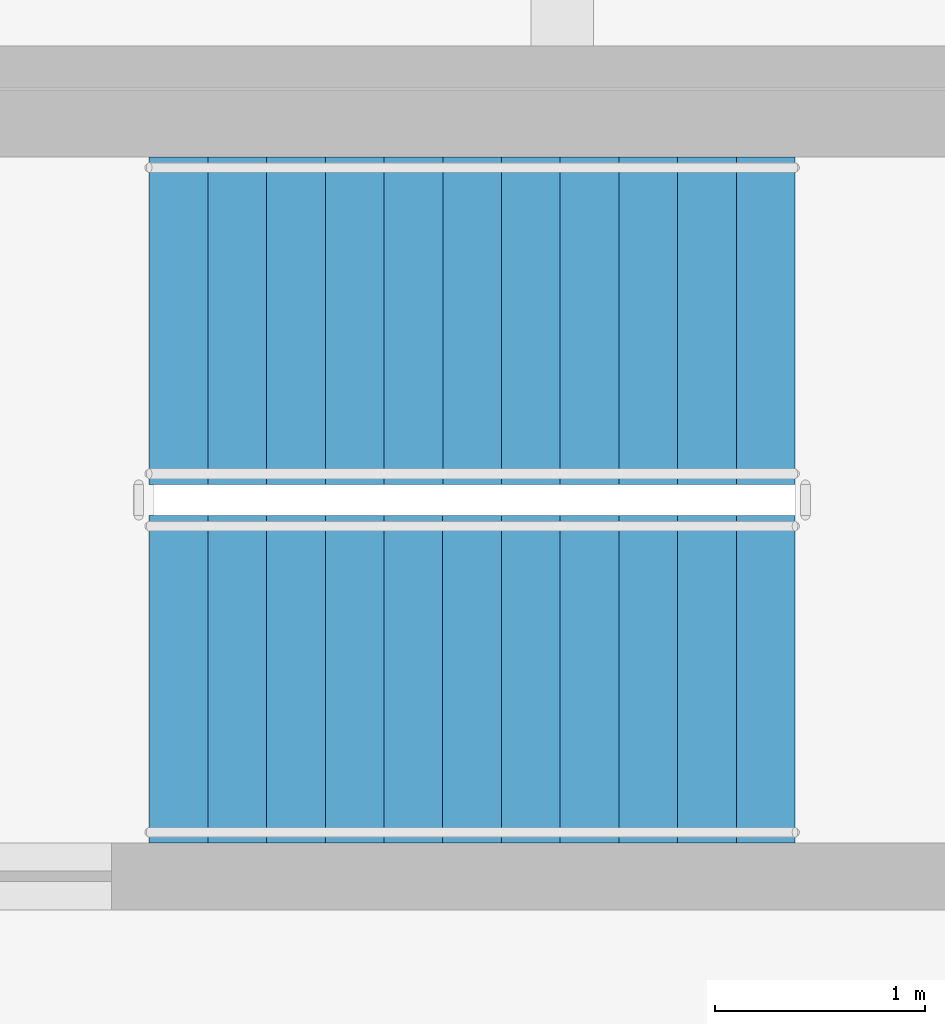
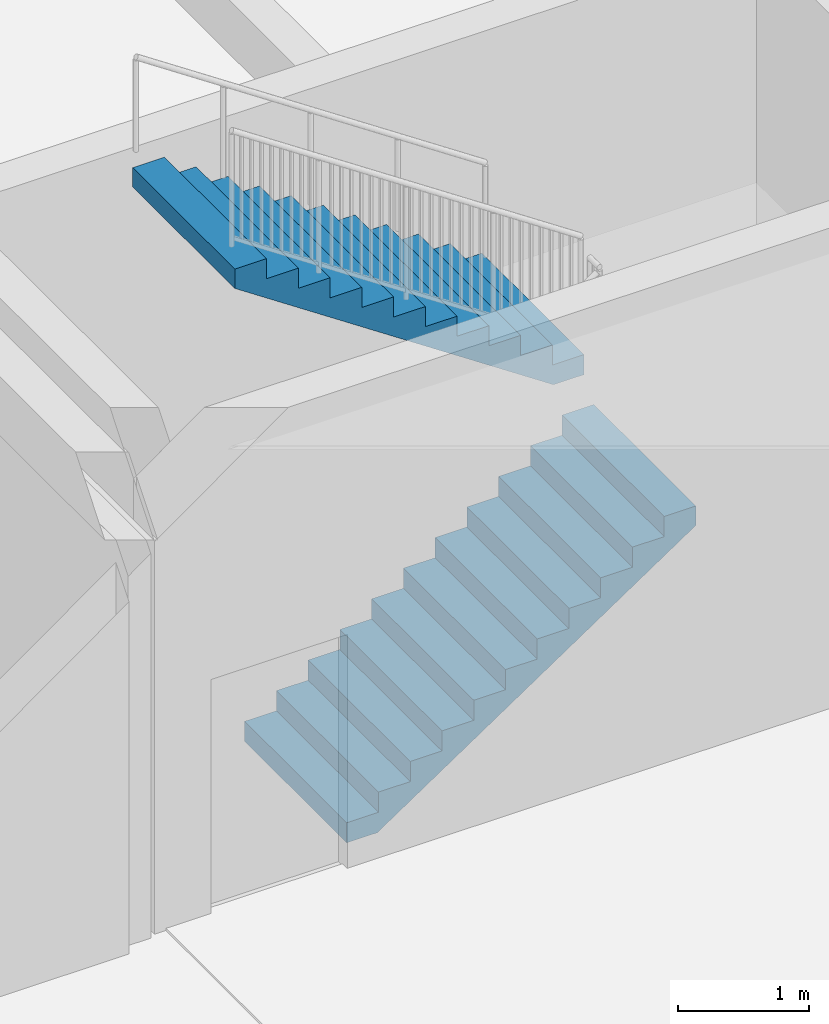
# One storey, part 66 of 79: 2 stair flights, 1 element without a shape of its own.
"""IFC4 building model written with IfcOpenShell, lengths in metres."""

from ifc_helpers import new_model, si_unit, direction, frame, origin, place, context, subcontext, project, spatial, polygons, material, type_object, element, aggregate, save


model = new_model("IFC4")

# Units and contexts
model_context = context("Model", 3, precision=1e-05, world=origin(), true_north=direction((0.0, 1.0)))
body_context = subcontext(model_context, "Body", "Model", "MODEL_VIEW")
ifc_project = project(units=[si_unit("LENGTHUNIT", "METRE"), si_unit("AREAUNIT", "SQUARE_METRE"), si_unit("VOLUMEUNIT", "CUBIC_METRE"), si_unit("PLANEANGLEUNIT", "RADIAN"), si_unit("MASSUNIT", "GRAM", prefix="KILO")], contexts=[model_context])

# Site, building, storey
site_placement = place(None, origin())
site = spatial("IfcSite", under=ifc_project, at=site_placement, CompositionType="ELEMENT")
building_placement = place(site_placement, origin())
building = spatial("IfcBuilding", under=site, at=building_placement, Name="Zantavel Square City Hall", CompositionType="ELEMENT")
storey_placement = place(building_placement, frame((0.0, 0.0, 10.199951171875)))
storey = spatial("IfcBuildingStorey", under=building, at=storey_placement, Name="L03", CompositionType="ELEMENT", Elevation=10.199951171875)

# Stair, stair flights
ifc_material = material(Name="Concrete C35/45", Category="concrete")
stair_type = type_object("IfcStairType", Name="Enclosed Core Dogleg Stair L03 H4500", PredefinedType="HALF_TURN_STAIR", material=ifc_material)
stair_placement = place(storey_placement, origin())
stair = element("IfcStair", 1, at=stair_placement, inside=storey, type_object=stair_type, Name="L03 Exit Stair 1 North-West Core", PredefinedType="HALF_TURN_STAIR")
stair_flight_type = type_object("IfcStairFlightType", Name="Enclosed Core Stair Flight L03 W1560", PredefinedType="STRAIGHT", material=ifc_material)
stair_flight_1_placement = place(storey_placement, frame((50.030029296875, 80.8798828125, 0.0), z_axis=(0.0, 0.0, 1.0), x_axis=(1.0, 0.0, 0.0)))
stair_flight_1 = element("IfcStairFlight", 2, at=stair_flight_1_placement, type_object=stair_flight_type, Name="ST1 flight 1", NumberOfRisers=12, NumberOfTreads=11, PredefinedType="STRAIGHT", RiserHeight=0.1875, TreadLength=0.28, context=body_context, shape_type="Tessellation", body=[
    polygons([(0.26953125, -0.780029296875, 0.0), (3.080078125, -0.780029296875, 1.882080078125), (3.080078125, -0.780029296875, 2.0625), (2.800048828125, -0.780029296875, 2.0625), (2.800048828125, -0.780029296875, 1.875), (2.52001953125, -0.780029296875, 1.875), (2.52001953125, -0.780029296875, 1.6875), (2.239990234375, -0.780029296875, 1.6875), (2.239990234375, -0.780029296875, 1.5), (1.9599609375, -0.780029296875, 1.5), (1.9599609375, -0.780029296875, 1.3125), (1.679931640625, -0.780029296875, 1.3125), (1.679931640625, -0.780029296875, 1.125), (1.39990234375, -0.780029296875, 1.125), (1.39990234375, -0.780029296875, 0.9375), (1.1201171875, -0.780029296875, 0.9375), (1.1201171875, -0.780029296875, 0.75), (0.840087890625, -0.780029296875, 0.75), (0.840087890625, -0.780029296875, 0.5625), (0.56005859375, -0.780029296875, 0.5625), (0.56005859375, -0.780029296875, 0.375), (0.280029296875, -0.780029296875, 0.375), (0.280029296875, -0.780029296875, 0.1875), (0.0, -0.780029296875, 0.1875), (0.0, -0.780029296875, 0.0), (0.26953125, -0.5849609375, 0.0), (3.080078125, -0.5849609375, 1.882080078125), (3.080078125, -0.5849609375, 2.0625), (2.800048828125, -0.5849609375, 2.0625), (2.800048828125, -0.5849609375, 1.875), (2.52001953125, -0.5849609375, 1.875), (2.52001953125, -0.5849609375, 1.6875), (2.239990234375, -0.5849609375, 1.6875), (2.239990234375, -0.5849609375, 1.5), (1.9599609375, -0.5849609375, 1.5), (1.9599609375, -0.5849609375, 1.3125), (1.679931640625, -0.5849609375, 1.3125), (1.679931640625, -0.5849609375, 1.125), (1.39990234375, -0.5849609375, 1.125), (1.39990234375, -0.5849609375, 0.9375), (1.1201171875, -0.5849609375, 0.9375), (1.1201171875, -0.5849609375, 0.75), (0.840087890625, -0.5849609375, 0.75), (0.840087890625, -0.5849609375, 0.5625), (0.56005859375, -0.5849609375, 0.5625), (0.56005859375, -0.5849609375, 0.375), (0.280029296875, -0.5849609375, 0.375), (0.280029296875, -0.5849609375, 0.1875), (0.0, -0.5849609375, 0.1875), (0.0, -0.5849609375, 0.0), (0.26953125, -0.39013671875, 0.0), (3.080078125, -0.39013671875, 1.882080078125), (3.080078125, -0.39013671875, 2.0625), (2.800048828125, -0.39013671875, 2.0625), (2.800048828125, -0.39013671875, 1.875), (2.52001953125, -0.39013671875, 1.875), (2.52001953125, -0.39013671875, 1.6875), (2.239990234375, -0.39013671875, 1.6875), (2.239990234375, -0.39013671875, 1.5), (1.9599609375, -0.39013671875, 1.5), (1.9599609375, -0.39013671875, 1.3125), (1.679931640625, -0.39013671875, 1.3125), (1.679931640625, -0.39013671875, 1.125), (1.39990234375, -0.39013671875, 1.125), (1.39990234375, -0.39013671875, 0.9375), (1.1201171875, -0.39013671875, 0.9375), (1.1201171875, -0.39013671875, 0.75), (0.840087890625, -0.39013671875, 0.75), (0.840087890625, -0.39013671875, 0.5625), (0.56005859375, -0.39013671875, 0.5625), (0.56005859375, -0.39013671875, 0.375), (0.280029296875, -0.39013671875, 0.375), (0.280029296875, -0.39013671875, 0.1875), (0.0, -0.39013671875, 0.1875), (0.0, -0.39013671875, 0.0), (0.26953125, -0.195068359375, 0.0), (3.080078125, -0.195068359375, 1.882080078125), (3.080078125, -0.195068359375, 2.0625), (2.800048828125, -0.195068359375, 2.0625), (2.800048828125, -0.195068359375, 1.875), (2.52001953125, -0.195068359375, 1.875), (2.52001953125, -0.195068359375, 1.6875), (2.239990234375, -0.195068359375, 1.6875), (2.239990234375, -0.195068359375, 1.5), (1.9599609375, -0.195068359375, 1.5), (1.9599609375, -0.195068359375, 1.3125), (1.679931640625, -0.195068359375, 1.3125), (1.679931640625, -0.195068359375, 1.125), (1.39990234375, -0.195068359375, 1.125), (1.39990234375, -0.195068359375, 0.9375), (1.1201171875, -0.195068359375, 0.9375), (1.1201171875, -0.195068359375, 0.75), (0.840087890625, -0.195068359375, 0.75), (0.840087890625, -0.195068359375, 0.5625), (0.56005859375, -0.195068359375, 0.5625), (0.56005859375, -0.195068359375, 0.375), (0.280029296875, -0.195068359375, 0.375), (0.280029296875, -0.195068359375, 0.1875), (0.0, -0.195068359375, 0.1875), (0.0, -0.195068359375, 0.0), (0.26953125, 0.0, 0.0), (3.080078125, 0.0, 1.882080078125), (3.080078125, 0.0, 2.0625), (2.800048828125, 0.0, 2.0625), (2.800048828125, 0.0, 1.875), (2.52001953125, 0.0, 1.875), (2.52001953125, 0.0, 1.6875), (2.239990234375, 0.0, 1.6875), (2.239990234375, 0.0, 1.5), (1.9599609375, 0.0, 1.5), (1.9599609375, 0.0, 1.3125), (1.679931640625, 0.0, 1.3125), (1.679931640625, 0.0, 1.125), (1.39990234375, 0.0, 1.125), (1.39990234375, 0.0, 0.9375), (1.1201171875, 0.0, 0.9375), (1.1201171875, 0.0, 0.75), (0.840087890625, 0.0, 0.75), (0.840087890625, 0.0, 0.5625), (0.56005859375, 0.0, 0.5625), (0.56005859375, 0.0, 0.375), (0.280029296875, 0.0, 0.375), (0.280029296875, 0.0, 0.1875), (0.0, 0.0, 0.1875), (0.0, 0.0, 0.0), (0.26953125, 0.195068359375, 0.0), (3.080078125, 0.195068359375, 1.882080078125), (3.080078125, 0.195068359375, 2.0625), (2.800048828125, 0.195068359375, 2.0625), (2.800048828125, 0.195068359375, 1.875), (2.52001953125, 0.195068359375, 1.875), (2.52001953125, 0.195068359375, 1.6875), (2.239990234375, 0.195068359375, 1.6875), (2.239990234375, 0.195068359375, 1.5), (1.9599609375, 0.195068359375, 1.5), (1.9599609375, 0.195068359375, 1.3125), (1.679931640625, 0.195068359375, 1.3125), (1.679931640625, 0.195068359375, 1.125), (1.39990234375, 0.195068359375, 1.125), (1.39990234375, 0.195068359375, 0.9375), (1.1201171875, 0.195068359375, 0.9375), (1.1201171875, 0.195068359375, 0.75), (0.840087890625, 0.195068359375, 0.75), (0.840087890625, 0.195068359375, 0.5625), (0.56005859375, 0.195068359375, 0.5625), (0.56005859375, 0.195068359375, 0.375), (0.280029296875, 0.195068359375, 0.375), (0.280029296875, 0.195068359375, 0.1875), (0.0, 0.195068359375, 0.1875), (0.0, 0.195068359375, 0.0), (0.26953125, 0.39013671875, 0.0), (3.080078125, 0.39013671875, 1.882080078125), (3.080078125, 0.39013671875, 2.0625), (2.800048828125, 0.39013671875, 2.0625), (2.800048828125, 0.39013671875, 1.875), (2.52001953125, 0.39013671875, 1.875), (2.52001953125, 0.39013671875, 1.6875), (2.239990234375, 0.39013671875, 1.6875), (2.239990234375, 0.39013671875, 1.5), (1.9599609375, 0.39013671875, 1.5), (1.9599609375, 0.39013671875, 1.3125), (1.679931640625, 0.39013671875, 1.3125), (1.679931640625, 0.39013671875, 1.125), (1.39990234375, 0.39013671875, 1.125), (1.39990234375, 0.39013671875, 0.9375), (1.1201171875, 0.39013671875, 0.9375), (1.1201171875, 0.39013671875, 0.75), (0.840087890625, 0.39013671875, 0.75), (0.840087890625, 0.39013671875, 0.5625), (0.56005859375, 0.39013671875, 0.5625), (0.56005859375, 0.39013671875, 0.375), (0.280029296875, 0.39013671875, 0.375), (0.280029296875, 0.39013671875, 0.1875), (0.0, 0.39013671875, 0.1875), (0.0, 0.39013671875, 0.0), (0.26953125, 0.5849609375, 0.0), (3.080078125, 0.5849609375, 1.882080078125), (3.080078125, 0.5849609375, 2.0625), (2.800048828125, 0.5849609375, 2.0625), (2.800048828125, 0.5849609375, 1.875), (2.52001953125, 0.5849609375, 1.875), (2.52001953125, 0.5849609375, 1.6875), (2.239990234375, 0.5849609375, 1.6875), (2.239990234375, 0.5849609375, 1.5), (1.9599609375, 0.5849609375, 1.5), (1.9599609375, 0.5849609375, 1.3125), (1.679931640625, 0.5849609375, 1.3125), (1.679931640625, 0.5849609375, 1.125), (1.39990234375, 0.5849609375, 1.125), (1.39990234375, 0.5849609375, 0.9375), (1.1201171875, 0.5849609375, 0.9375), (1.1201171875, 0.5849609375, 0.75), (0.840087890625, 0.5849609375, 0.75), (0.840087890625, 0.5849609375, 0.5625), (0.56005859375, 0.5849609375, 0.5625), (0.56005859375, 0.5849609375, 0.375), (0.280029296875, 0.5849609375, 0.375), (0.280029296875, 0.5849609375, 0.1875), (0.0, 0.5849609375, 0.1875), (0.0, 0.5849609375, 0.0), (0.26953125, 0.780029296875, 0.0), (3.080078125, 0.780029296875, 1.882080078125), (3.080078125, 0.780029296875, 2.0625), (2.800048828125, 0.780029296875, 2.0625), (2.800048828125, 0.780029296875, 1.875), (2.52001953125, 0.780029296875, 1.875), (2.52001953125, 0.780029296875, 1.6875), (2.239990234375, 0.780029296875, 1.6875), (2.239990234375, 0.780029296875, 1.5), (1.9599609375, 0.780029296875, 1.5), (1.9599609375, 0.780029296875, 1.3125), (1.679931640625, 0.780029296875, 1.3125), (1.679931640625, 0.780029296875, 1.125), (1.39990234375, 0.780029296875, 1.125), (1.39990234375, 0.780029296875, 0.9375), (1.1201171875, 0.780029296875, 0.9375), (1.1201171875, 0.780029296875, 0.75), (0.840087890625, 0.780029296875, 0.75), (0.840087890625, 0.780029296875, 0.5625), (0.56005859375, 0.780029296875, 0.5625), (0.56005859375, 0.780029296875, 0.375), (0.280029296875, 0.780029296875, 0.375), (0.280029296875, 0.780029296875, 0.1875), (0.0, 0.780029296875, 0.1875), (0.0, 0.780029296875, 0.0)], [[[1, 2, 3, 4, 5, 6, 7, 8, 9, 10, 11, 12, 13, 14, 15, 16, 17, 18, 19, 20, 21, 22, 23, 24, 25]], [[225, 224, 223, 222, 221, 220, 219, 218, 217, 216, 215, 214, 213, 212, 211, 210, 209, 208, 207, 206, 205, 204, 203, 202, 201]], [[1, 26, 27]], [[1, 27, 2]], [[2, 27, 28]], [[2, 28, 3]], [[3, 28, 29]], [[3, 29, 4]], [[4, 29, 30]], [[4, 30, 5]], [[5, 30, 31]], [[5, 31, 6]], [[6, 31, 32]], [[6, 32, 7]], [[7, 32, 33]], [[7, 33, 8]], [[8, 33, 34]], [[8, 34, 9]], [[9, 34, 35]], [[9, 35, 10]], [[10, 35, 36]], [[10, 36, 11]], [[11, 36, 37]], [[11, 37, 12]], [[12, 37, 38]], [[12, 38, 13]], [[13, 38, 39]], [[13, 39, 14]], [[14, 39, 40]], [[14, 40, 15]], [[15, 40, 41]], [[15, 41, 16]], [[16, 41, 42]], [[16, 42, 17]], [[17, 42, 43]], [[17, 43, 18]], [[18, 43, 44]], [[18, 44, 19]], [[19, 44, 45]], [[19, 45, 20]], [[20, 45, 46]], [[20, 46, 21]], [[21, 46, 47]], [[21, 47, 22]], [[22, 47, 48]], [[22, 48, 23]], [[23, 48, 49]], [[23, 49, 24]], [[24, 49, 50]], [[24, 50, 25]], [[25, 50, 26]], [[25, 26, 1]], [[26, 51, 52]], [[26, 52, 27]], [[27, 52, 53]], [[27, 53, 28]], [[28, 53, 54]], [[28, 54, 29]], [[29, 54, 55]], [[29, 55, 30]], [[30, 55, 56]], [[30, 56, 31]], [[31, 56, 57]], [[31, 57, 32]], [[32, 57, 58]], [[32, 58, 33]], [[33, 58, 59]], [[33, 59, 34]], [[34, 59, 60]], [[34, 60, 35]], [[35, 60, 61]], [[35, 61, 36]], [[36, 61, 62]], [[36, 62, 37]], [[37, 62, 63]], [[37, 63, 38]], [[38, 63, 64]], [[38, 64, 39]], [[39, 64, 65]], [[39, 65, 40]], [[40, 65, 66]], [[40, 66, 41]], [[41, 66, 67]], [[41, 67, 42]], [[42, 67, 68]], [[42, 68, 43]], [[43, 68, 69]], [[43, 69, 44]], [[44, 69, 70]], [[44, 70, 45]], [[45, 70, 71]], [[45, 71, 46]], [[46, 71, 72]], [[46, 72, 47]], [[47, 72, 73]], [[47, 73, 48]], [[48, 73, 74]], [[48, 74, 49]], [[49, 74, 75]], [[49, 75, 50]], [[50, 75, 51]], [[50, 51, 26]], [[51, 76, 77]], [[51, 77, 52]], [[52, 77, 78]], [[52, 78, 53]], [[53, 78, 79]], [[53, 79, 54]], [[54, 79, 80]], [[54, 80, 55]], [[55, 80, 81]], [[55, 81, 56]], [[56, 81, 82]], [[56, 82, 57]], [[57, 82, 83]], [[57, 83, 58]], [[58, 83, 84]], [[58, 84, 59]], [[59, 84, 85]], [[59, 85, 60]], [[60, 85, 86]], [[60, 86, 61]], [[61, 86, 87]], [[61, 87, 62]], [[62, 87, 88]], [[62, 88, 63]], [[63, 88, 89]], [[63, 89, 64]], [[64, 89, 90]], [[64, 90, 65]], [[65, 90, 91]], [[65, 91, 66]], [[66, 91, 92]], [[66, 92, 67]], [[67, 92, 93]], [[67, 93, 68]], [[68, 93, 94]], [[68, 94, 69]], [[69, 94, 95]], [[69, 95, 70]], [[70, 95, 96]], [[70, 96, 71]], [[71, 96, 97]], [[71, 97, 72]], [[72, 97, 98]], [[72, 98, 73]], [[73, 98, 99]], [[73, 99, 74]], [[74, 99, 100]], [[74, 100, 75]], [[75, 100, 76]], [[75, 76, 51]], [[76, 101, 102]], [[76, 102, 77]], [[77, 102, 103]], [[77, 103, 78]], [[78, 103, 104]], [[78, 104, 79]], [[79, 104, 105]], [[79, 105, 80]], [[80, 105, 106]], [[80, 106, 81]], [[81, 106, 107]], [[81, 107, 82]], [[82, 107, 108]], [[82, 108, 83]], [[83, 108, 109]], [[83, 109, 84]], [[84, 109, 110]], [[84, 110, 85]], [[85, 110, 111]], [[85, 111, 86]], [[86, 111, 112]], [[86, 112, 87]], [[87, 112, 113]], [[87, 113, 88]], [[88, 113, 114]], [[88, 114, 89]], [[89, 114, 115]], [[89, 115, 90]], [[90, 115, 116]], [[90, 116, 91]], [[91, 116, 117]], [[91, 117, 92]], [[92, 117, 118]], [[92, 118, 93]], [[93, 118, 119]], [[93, 119, 94]], [[94, 119, 120]], [[94, 120, 95]], [[95, 120, 121]], [[95, 121, 96]], [[96, 121, 122]], [[96, 122, 97]], [[97, 122, 123]], [[97, 123, 98]], [[98, 123, 124]], [[98, 124, 99]], [[99, 124, 125]], [[99, 125, 100]], [[100, 125, 101]], [[100, 101, 76]], [[101, 126, 102]], [[126, 127, 102]], [[102, 127, 103]], [[127, 128, 103]], [[103, 128, 104]], [[128, 129, 104]], [[104, 129, 105]], [[129, 130, 105]], [[105, 130, 106]], [[130, 131, 106]], [[106, 131, 107]], [[131, 132, 107]], [[107, 132, 108]], [[132, 133, 108]], [[108, 133, 109]], [[133, 134, 109]], [[109, 134, 110]], [[134, 135, 110]], [[110, 135, 111]], [[135, 136, 111]], [[111, 136, 112]], [[136, 137, 112]], [[112, 137, 113]], [[137, 138, 113]], [[113, 138, 114]], [[138, 139, 114]], [[114, 139, 115]], [[139, 140, 115]], [[115, 140, 116]], [[140, 141, 116]], [[116, 141, 117]], [[141, 142, 117]], [[117, 142, 118]], [[142, 143, 118]], [[118, 143, 119]], [[143, 144, 119]], [[119, 144, 120]], [[144, 145, 120]], [[120, 145, 121]], [[145, 146, 121]], [[121, 146, 122]], [[146, 147, 122]], [[122, 147, 123]], [[147, 148, 123]], [[123, 148, 124]], [[148, 149, 124]], [[124, 149, 125]], [[149, 150, 125]], [[125, 150, 101]], [[150, 126, 101]], [[126, 151, 127]], [[151, 152, 127]], [[127, 152, 128]], [[152, 153, 128]], [[128, 153, 129]], [[153, 154, 129]], [[129, 154, 130]], [[154, 155, 130]], [[130, 155, 131]], [[155, 156, 131]], [[131, 156, 132]], [[156, 157, 132]], [[132, 157, 133]], [[157, 158, 133]], [[133, 158, 134]], [[158, 159, 134]], [[134, 159, 135]], [[159, 160, 135]], [[135, 160, 136]], [[160, 161, 136]], [[136, 161, 137]], [[161, 162, 137]], [[137, 162, 138]], [[162, 163, 138]], [[138, 163, 139]], [[163, 164, 139]], [[139, 164, 140]], [[164, 165, 140]], [[140, 165, 141]], [[165, 166, 141]], [[141, 166, 142]], [[166, 167, 142]], [[142, 167, 143]], [[167, 168, 143]], [[143, 168, 144]], [[168, 169, 144]], [[144, 169, 145]], [[169, 170, 145]], [[145, 170, 146]], [[170, 171, 146]], [[146, 171, 147]], [[171, 172, 147]], [[147, 172, 148]], [[172, 173, 148]], [[148, 173, 149]], [[173, 174, 149]], [[149, 174, 150]], [[174, 175, 150]], [[150, 175, 126]], [[175, 151, 126]], [[151, 176, 152]], [[176, 177, 152]], [[152, 177, 153]], [[177, 178, 153]], [[153, 178, 154]], [[178, 179, 154]], [[154, 179, 155]], [[179, 180, 155]], [[155, 180, 156]], [[180, 181, 156]], [[156, 181, 157]], [[181, 182, 157]], [[157, 182, 158]], [[182, 183, 158]], [[158, 183, 159]], [[183, 184, 159]], [[159, 184, 160]], [[184, 185, 160]], [[160, 185, 161]], [[185, 186, 161]], [[161, 186, 162]], [[186, 187, 162]], [[162, 187, 163]], [[187, 188, 163]], [[163, 188, 164]], [[188, 189, 164]], [[164, 189, 165]], [[189, 190, 165]], [[165, 190, 166]], [[190, 191, 166]], [[166, 191, 167]], [[191, 192, 167]], [[167, 192, 168]], [[192, 193, 168]], [[168, 193, 169]], [[193, 194, 169]], [[169, 194, 170]], [[194, 195, 170]], [[170, 195, 171]], [[195, 196, 171]], [[171, 196, 172]], [[196, 197, 172]], [[172, 197, 173]], [[197, 198, 173]], [[173, 198, 174]], [[198, 199, 174]], [[174, 199, 175]], [[199, 200, 175]], [[175, 200, 151]], [[200, 176, 151]], [[176, 201, 177]], [[201, 202, 177]], [[177, 202, 178]], [[202, 203, 178]], [[178, 203, 179]], [[203, 204, 179]], [[179, 204, 180]], [[204, 205, 180]], [[180, 205, 181]], [[205, 206, 181]], [[181, 206, 182]], [[206, 207, 182]], [[182, 207, 183]], [[207, 208, 183]], [[183, 208, 184]], [[208, 209, 184]], [[184, 209, 185]], [[209, 210, 185]], [[185, 210, 186]], [[210, 211, 186]], [[186, 211, 187]], [[211, 212, 187]], [[187, 212, 188]], [[212, 213, 188]], [[188, 213, 189]], [[213, 214, 189]], [[189, 214, 190]], [[214, 215, 190]], [[190, 215, 191]], [[215, 216, 191]], [[191, 216, 192]], [[216, 217, 192]], [[192, 217, 193]], [[217, 218, 193]], [[193, 218, 194]], [[218, 219, 194]], [[194, 219, 195]], [[219, 220, 195]], [[195, 220, 196]], [[220, 221, 196]], [[196, 221, 197]], [[221, 222, 197]], [[197, 222, 198]], [[222, 223, 198]], [[198, 223, 199]], [[223, 224, 199]], [[199, 224, 200]], [[224, 225, 200]], [[200, 225, 176]], [[225, 201, 176]]], closed=True),
])
stair_flight_2_placement = place(storey_placement, frame((53.110107421875, 82.590087890625, 2.25), z_axis=(0.0, 0.0, 1.0), x_axis=(-1.0, 0.0, 0.0)))
stair_flight_2 = element("IfcStairFlight", 3, at=stair_flight_2_placement, type_object=stair_flight_type, Name="ST1 flight 2", NumberOfRisers=12, NumberOfTreads=11, PredefinedType="STRAIGHT", RiserHeight=0.1875, TreadLength=0.28, context=body_context, shape_type="Tessellation", body=[
    polygons([(0.26953125, -0.780029296875, 0.0), (3.080078125, -0.780029296875, 1.882080078125), (3.080078125, -0.780029296875, 2.0625), (2.800048828125, -0.780029296875, 2.0625), (2.800048828125, -0.780029296875, 1.875), (2.52001953125, -0.780029296875, 1.875), (2.52001953125, -0.780029296875, 1.6875), (2.239990234375, -0.780029296875, 1.6875), (2.239990234375, -0.780029296875, 1.5), (1.9599609375, -0.780029296875, 1.5), (1.9599609375, -0.780029296875, 1.3125), (1.679931640625, -0.780029296875, 1.3125), (1.679931640625, -0.780029296875, 1.125), (1.39990234375, -0.780029296875, 1.125), (1.39990234375, -0.780029296875, 0.9375), (1.1201171875, -0.780029296875, 0.9375), (1.1201171875, -0.780029296875, 0.75), (0.840087890625, -0.780029296875, 0.75), (0.840087890625, -0.780029296875, 0.5625), (0.56005859375, -0.780029296875, 0.5625), (0.56005859375, -0.780029296875, 0.375), (0.280029296875, -0.780029296875, 0.375), (0.280029296875, -0.780029296875, 0.1875), (0.0, -0.780029296875, 0.1875), (0.0, -0.780029296875, 0.0), (0.26953125, -0.5849609375, 0.0), (3.080078125, -0.5849609375, 1.882080078125), (3.080078125, -0.5849609375, 2.0625), (2.800048828125, -0.5849609375, 2.0625), (2.800048828125, -0.5849609375, 1.875), (2.52001953125, -0.5849609375, 1.875), (2.52001953125, -0.5849609375, 1.6875), (2.239990234375, -0.5849609375, 1.6875), (2.239990234375, -0.5849609375, 1.5), (1.9599609375, -0.5849609375, 1.5), (1.9599609375, -0.5849609375, 1.3125), (1.679931640625, -0.5849609375, 1.3125), (1.679931640625, -0.5849609375, 1.125), (1.39990234375, -0.5849609375, 1.125), (1.39990234375, -0.5849609375, 0.9375), (1.1201171875, -0.5849609375, 0.9375), (1.1201171875, -0.5849609375, 0.75), (0.840087890625, -0.5849609375, 0.75), (0.840087890625, -0.5849609375, 0.5625), (0.56005859375, -0.5849609375, 0.5625), (0.56005859375, -0.5849609375, 0.375), (0.280029296875, -0.5849609375, 0.375), (0.280029296875, -0.5849609375, 0.1875), (0.0, -0.5849609375, 0.1875), (0.0, -0.5849609375, 0.0), (0.26953125, -0.39013671875, 0.0), (3.080078125, -0.39013671875, 1.882080078125), (3.080078125, -0.39013671875, 2.0625), (2.800048828125, -0.39013671875, 2.0625), (2.800048828125, -0.39013671875, 1.875), (2.52001953125, -0.39013671875, 1.875), (2.52001953125, -0.39013671875, 1.6875), (2.239990234375, -0.39013671875, 1.6875), (2.239990234375, -0.39013671875, 1.5), (1.9599609375, -0.39013671875, 1.5), (1.9599609375, -0.39013671875, 1.3125), (1.679931640625, -0.39013671875, 1.3125), (1.679931640625, -0.39013671875, 1.125), (1.39990234375, -0.39013671875, 1.125), (1.39990234375, -0.39013671875, 0.9375), (1.1201171875, -0.39013671875, 0.9375), (1.1201171875, -0.39013671875, 0.75), (0.840087890625, -0.39013671875, 0.75), (0.840087890625, -0.39013671875, 0.5625), (0.56005859375, -0.39013671875, 0.5625), (0.56005859375, -0.39013671875, 0.375), (0.280029296875, -0.39013671875, 0.375), (0.280029296875, -0.39013671875, 0.1875), (0.0, -0.39013671875, 0.1875), (0.0, -0.39013671875, 0.0), (0.26953125, -0.195068359375, 0.0), (3.080078125, -0.195068359375, 1.882080078125), (3.080078125, -0.195068359375, 2.0625), (2.800048828125, -0.195068359375, 2.0625), (2.800048828125, -0.195068359375, 1.875), (2.52001953125, -0.195068359375, 1.875), (2.52001953125, -0.195068359375, 1.6875), (2.239990234375, -0.195068359375, 1.6875), (2.239990234375, -0.195068359375, 1.5), (1.9599609375, -0.195068359375, 1.5), (1.9599609375, -0.195068359375, 1.3125), (1.679931640625, -0.195068359375, 1.3125), (1.679931640625, -0.195068359375, 1.125), (1.39990234375, -0.195068359375, 1.125), (1.39990234375, -0.195068359375, 0.9375), (1.1201171875, -0.195068359375, 0.9375), (1.1201171875, -0.195068359375, 0.75), (0.840087890625, -0.195068359375, 0.75), (0.840087890625, -0.195068359375, 0.5625), (0.56005859375, -0.195068359375, 0.5625), (0.56005859375, -0.195068359375, 0.375), (0.280029296875, -0.195068359375, 0.375), (0.280029296875, -0.195068359375, 0.1875), (0.0, -0.195068359375, 0.1875), (0.0, -0.195068359375, 0.0), (0.26953125, 0.0, 0.0), (3.080078125, 0.0, 1.882080078125), (3.080078125, 0.0, 2.0625), (2.800048828125, 0.0, 2.0625), (2.800048828125, 0.0, 1.875), (2.52001953125, 0.0, 1.875), (2.52001953125, 0.0, 1.6875), (2.239990234375, 0.0, 1.6875), (2.239990234375, 0.0, 1.5), (1.9599609375, 0.0, 1.5), (1.9599609375, 0.0, 1.3125), (1.679931640625, 0.0, 1.3125), (1.679931640625, 0.0, 1.125), (1.39990234375, 0.0, 1.125), (1.39990234375, 0.0, 0.9375), (1.1201171875, 0.0, 0.9375), (1.1201171875, 0.0, 0.75), (0.840087890625, 0.0, 0.75), (0.840087890625, 0.0, 0.5625), (0.56005859375, 0.0, 0.5625), (0.56005859375, 0.0, 0.375), (0.280029296875, 0.0, 0.375), (0.280029296875, 0.0, 0.1875), (0.0, 0.0, 0.1875), (0.0, 0.0, 0.0), (0.26953125, 0.195068359375, 0.0), (3.080078125, 0.195068359375, 1.882080078125), (3.080078125, 0.195068359375, 2.0625), (2.800048828125, 0.195068359375, 2.0625), (2.800048828125, 0.195068359375, 1.875), (2.52001953125, 0.195068359375, 1.875), (2.52001953125, 0.195068359375, 1.6875), (2.239990234375, 0.195068359375, 1.6875), (2.239990234375, 0.195068359375, 1.5), (1.9599609375, 0.195068359375, 1.5), (1.9599609375, 0.195068359375, 1.3125), (1.679931640625, 0.195068359375, 1.3125), (1.679931640625, 0.195068359375, 1.125), (1.39990234375, 0.195068359375, 1.125), (1.39990234375, 0.195068359375, 0.9375), (1.1201171875, 0.195068359375, 0.9375), (1.1201171875, 0.195068359375, 0.75), (0.840087890625, 0.195068359375, 0.75), (0.840087890625, 0.195068359375, 0.5625), (0.56005859375, 0.195068359375, 0.5625), (0.56005859375, 0.195068359375, 0.375), (0.280029296875, 0.195068359375, 0.375), (0.280029296875, 0.195068359375, 0.1875), (0.0, 0.195068359375, 0.1875), (0.0, 0.195068359375, 0.0), (0.26953125, 0.39013671875, 0.0), (3.080078125, 0.39013671875, 1.882080078125), (3.080078125, 0.39013671875, 2.0625), (2.800048828125, 0.39013671875, 2.0625), (2.800048828125, 0.39013671875, 1.875), (2.52001953125, 0.39013671875, 1.875), (2.52001953125, 0.39013671875, 1.6875), (2.239990234375, 0.39013671875, 1.6875), (2.239990234375, 0.39013671875, 1.5), (1.9599609375, 0.39013671875, 1.5), (1.9599609375, 0.39013671875, 1.3125), (1.679931640625, 0.39013671875, 1.3125), (1.679931640625, 0.39013671875, 1.125), (1.39990234375, 0.39013671875, 1.125), (1.39990234375, 0.39013671875, 0.9375), (1.1201171875, 0.39013671875, 0.9375), (1.1201171875, 0.39013671875, 0.75), (0.840087890625, 0.39013671875, 0.75), (0.840087890625, 0.39013671875, 0.5625), (0.56005859375, 0.39013671875, 0.5625), (0.56005859375, 0.39013671875, 0.375), (0.280029296875, 0.39013671875, 0.375), (0.280029296875, 0.39013671875, 0.1875), (0.0, 0.39013671875, 0.1875), (0.0, 0.39013671875, 0.0), (0.26953125, 0.5849609375, 0.0), (3.080078125, 0.5849609375, 1.882080078125), (3.080078125, 0.5849609375, 2.0625), (2.800048828125, 0.5849609375, 2.0625), (2.800048828125, 0.5849609375, 1.875), (2.52001953125, 0.5849609375, 1.875), (2.52001953125, 0.5849609375, 1.6875), (2.239990234375, 0.5849609375, 1.6875), (2.239990234375, 0.5849609375, 1.5), (1.9599609375, 0.5849609375, 1.5), (1.9599609375, 0.5849609375, 1.3125), (1.679931640625, 0.5849609375, 1.3125), (1.679931640625, 0.5849609375, 1.125), (1.39990234375, 0.5849609375, 1.125), (1.39990234375, 0.5849609375, 0.9375), (1.1201171875, 0.5849609375, 0.9375), (1.1201171875, 0.5849609375, 0.75), (0.840087890625, 0.5849609375, 0.75), (0.840087890625, 0.5849609375, 0.5625), (0.56005859375, 0.5849609375, 0.5625), (0.56005859375, 0.5849609375, 0.375), (0.280029296875, 0.5849609375, 0.375), (0.280029296875, 0.5849609375, 0.1875), (0.0, 0.5849609375, 0.1875), (0.0, 0.5849609375, 0.0), (0.26953125, 0.780029296875, 0.0), (3.080078125, 0.780029296875, 1.882080078125), (3.080078125, 0.780029296875, 2.0625), (2.800048828125, 0.780029296875, 2.0625), (2.800048828125, 0.780029296875, 1.875), (2.52001953125, 0.780029296875, 1.875), (2.52001953125, 0.780029296875, 1.6875), (2.239990234375, 0.780029296875, 1.6875), (2.239990234375, 0.780029296875, 1.5), (1.9599609375, 0.780029296875, 1.5), (1.9599609375, 0.780029296875, 1.3125), (1.679931640625, 0.780029296875, 1.3125), (1.679931640625, 0.780029296875, 1.125), (1.39990234375, 0.780029296875, 1.125), (1.39990234375, 0.780029296875, 0.9375), (1.1201171875, 0.780029296875, 0.9375), (1.1201171875, 0.780029296875, 0.75), (0.840087890625, 0.780029296875, 0.75), (0.840087890625, 0.780029296875, 0.5625), (0.56005859375, 0.780029296875, 0.5625), (0.56005859375, 0.780029296875, 0.375), (0.280029296875, 0.780029296875, 0.375), (0.280029296875, 0.780029296875, 0.1875), (0.0, 0.780029296875, 0.1875), (0.0, 0.780029296875, 0.0)], [[[1, 2, 3, 4, 5, 6, 7, 8, 9, 10, 11, 12, 13, 14, 15, 16, 17, 18, 19, 20, 21, 22, 23, 24, 25]], [[225, 224, 223, 222, 221, 220, 219, 218, 217, 216, 215, 214, 213, 212, 211, 210, 209, 208, 207, 206, 205, 204, 203, 202, 201]], [[1, 26, 27]], [[1, 27, 2]], [[2, 27, 28]], [[2, 28, 3]], [[3, 28, 29]], [[3, 29, 4]], [[4, 29, 30]], [[4, 30, 5]], [[5, 30, 31]], [[5, 31, 6]], [[6, 31, 32]], [[6, 32, 7]], [[7, 32, 33]], [[7, 33, 8]], [[8, 33, 34]], [[8, 34, 9]], [[9, 34, 35]], [[9, 35, 10]], [[10, 35, 36]], [[10, 36, 11]], [[11, 36, 37]], [[11, 37, 12]], [[12, 37, 38]], [[12, 38, 13]], [[13, 38, 39]], [[13, 39, 14]], [[14, 39, 40]], [[14, 40, 15]], [[15, 40, 41]], [[15, 41, 16]], [[16, 41, 42]], [[16, 42, 17]], [[17, 42, 43]], [[17, 43, 18]], [[18, 43, 44]], [[18, 44, 19]], [[19, 44, 45]], [[19, 45, 20]], [[20, 45, 46]], [[20, 46, 21]], [[21, 46, 47]], [[21, 47, 22]], [[22, 47, 48]], [[22, 48, 23]], [[23, 48, 49]], [[23, 49, 24]], [[24, 49, 50]], [[24, 50, 25]], [[25, 50, 26]], [[25, 26, 1]], [[26, 51, 52]], [[26, 52, 27]], [[27, 52, 53]], [[27, 53, 28]], [[28, 53, 54]], [[28, 54, 29]], [[29, 54, 55]], [[29, 55, 30]], [[30, 55, 56]], [[30, 56, 31]], [[31, 56, 57]], [[31, 57, 32]], [[32, 57, 58]], [[32, 58, 33]], [[33, 58, 59]], [[33, 59, 34]], [[34, 59, 60]], [[34, 60, 35]], [[35, 60, 61]], [[35, 61, 36]], [[36, 61, 62]], [[36, 62, 37]], [[37, 62, 63]], [[37, 63, 38]], [[38, 63, 64]], [[38, 64, 39]], [[39, 64, 65]], [[39, 65, 40]], [[40, 65, 66]], [[40, 66, 41]], [[41, 66, 67]], [[41, 67, 42]], [[42, 67, 68]], [[42, 68, 43]], [[43, 68, 69]], [[43, 69, 44]], [[44, 69, 70]], [[44, 70, 45]], [[45, 70, 71]], [[45, 71, 46]], [[46, 71, 72]], [[46, 72, 47]], [[47, 72, 73]], [[47, 73, 48]], [[48, 73, 74]], [[48, 74, 49]], [[49, 74, 75]], [[49, 75, 50]], [[50, 75, 51]], [[50, 51, 26]], [[51, 76, 77]], [[51, 77, 52]], [[52, 77, 78]], [[52, 78, 53]], [[53, 78, 79]], [[53, 79, 54]], [[54, 79, 80]], [[54, 80, 55]], [[55, 80, 81]], [[55, 81, 56]], [[56, 81, 82]], [[56, 82, 57]], [[57, 82, 83]], [[57, 83, 58]], [[58, 83, 84]], [[58, 84, 59]], [[59, 84, 85]], [[59, 85, 60]], [[60, 85, 86]], [[60, 86, 61]], [[61, 86, 87]], [[61, 87, 62]], [[62, 87, 88]], [[62, 88, 63]], [[63, 88, 89]], [[63, 89, 64]], [[64, 89, 90]], [[64, 90, 65]], [[65, 90, 91]], [[65, 91, 66]], [[66, 91, 92]], [[66, 92, 67]], [[67, 92, 93]], [[67, 93, 68]], [[68, 93, 94]], [[68, 94, 69]], [[69, 94, 95]], [[69, 95, 70]], [[70, 95, 96]], [[70, 96, 71]], [[71, 96, 97]], [[71, 97, 72]], [[72, 97, 98]], [[72, 98, 73]], [[73, 98, 99]], [[73, 99, 74]], [[74, 99, 100]], [[74, 100, 75]], [[75, 100, 76]], [[75, 76, 51]], [[76, 101, 102]], [[76, 102, 77]], [[77, 102, 103]], [[77, 103, 78]], [[78, 103, 104]], [[78, 104, 79]], [[79, 104, 105]], [[79, 105, 80]], [[80, 105, 106]], [[80, 106, 81]], [[81, 106, 107]], [[81, 107, 82]], [[82, 107, 108]], [[82, 108, 83]], [[83, 108, 109]], [[83, 109, 84]], [[84, 109, 110]], [[84, 110, 85]], [[85, 110, 111]], [[85, 111, 86]], [[86, 111, 112]], [[86, 112, 87]], [[87, 112, 113]], [[87, 113, 88]], [[88, 113, 114]], [[88, 114, 89]], [[89, 114, 115]], [[89, 115, 90]], [[90, 115, 116]], [[90, 116, 91]], [[91, 116, 117]], [[91, 117, 92]], [[92, 117, 118]], [[92, 118, 93]], [[93, 118, 119]], [[93, 119, 94]], [[94, 119, 120]], [[94, 120, 95]], [[95, 120, 121]], [[95, 121, 96]], [[96, 121, 122]], [[96, 122, 97]], [[97, 122, 123]], [[97, 123, 98]], [[98, 123, 124]], [[98, 124, 99]], [[99, 124, 125]], [[99, 125, 100]], [[100, 125, 101]], [[100, 101, 76]], [[101, 126, 102]], [[126, 127, 102]], [[102, 127, 103]], [[127, 128, 103]], [[103, 128, 104]], [[128, 129, 104]], [[104, 129, 105]], [[129, 130, 105]], [[105, 130, 106]], [[130, 131, 106]], [[106, 131, 107]], [[131, 132, 107]], [[107, 132, 108]], [[132, 133, 108]], [[108, 133, 109]], [[133, 134, 109]], [[109, 134, 110]], [[134, 135, 110]], [[110, 135, 111]], [[135, 136, 111]], [[111, 136, 112]], [[136, 137, 112]], [[112, 137, 113]], [[137, 138, 113]], [[113, 138, 114]], [[138, 139, 114]], [[114, 139, 115]], [[139, 140, 115]], [[115, 140, 116]], [[140, 141, 116]], [[116, 141, 117]], [[141, 142, 117]], [[117, 142, 118]], [[142, 143, 118]], [[118, 143, 119]], [[143, 144, 119]], [[119, 144, 120]], [[144, 145, 120]], [[120, 145, 121]], [[145, 146, 121]], [[121, 146, 122]], [[146, 147, 122]], [[122, 147, 123]], [[147, 148, 123]], [[123, 148, 124]], [[148, 149, 124]], [[124, 149, 125]], [[149, 150, 125]], [[125, 150, 101]], [[150, 126, 101]], [[126, 151, 127]], [[151, 152, 127]], [[127, 152, 128]], [[152, 153, 128]], [[128, 153, 129]], [[153, 154, 129]], [[129, 154, 130]], [[154, 155, 130]], [[130, 155, 131]], [[155, 156, 131]], [[131, 156, 132]], [[156, 157, 132]], [[132, 157, 133]], [[157, 158, 133]], [[133, 158, 134]], [[158, 159, 134]], [[134, 159, 135]], [[159, 160, 135]], [[135, 160, 136]], [[160, 161, 136]], [[136, 161, 137]], [[161, 162, 137]], [[137, 162, 138]], [[162, 163, 138]], [[138, 163, 139]], [[163, 164, 139]], [[139, 164, 140]], [[164, 165, 140]], [[140, 165, 141]], [[165, 166, 141]], [[141, 166, 142]], [[166, 167, 142]], [[142, 167, 143]], [[167, 168, 143]], [[143, 168, 144]], [[168, 169, 144]], [[144, 169, 145]], [[169, 170, 145]], [[145, 170, 146]], [[170, 171, 146]], [[146, 171, 147]], [[171, 172, 147]], [[147, 172, 148]], [[172, 173, 148]], [[148, 173, 149]], [[173, 174, 149]], [[149, 174, 150]], [[174, 175, 150]], [[150, 175, 126]], [[175, 151, 126]], [[151, 176, 152]], [[176, 177, 152]], [[152, 177, 153]], [[177, 178, 153]], [[153, 178, 154]], [[178, 179, 154]], [[154, 179, 155]], [[179, 180, 155]], [[155, 180, 156]], [[180, 181, 156]], [[156, 181, 157]], [[181, 182, 157]], [[157, 182, 158]], [[182, 183, 158]], [[158, 183, 159]], [[183, 184, 159]], [[159, 184, 160]], [[184, 185, 160]], [[160, 185, 161]], [[185, 186, 161]], [[161, 186, 162]], [[186, 187, 162]], [[162, 187, 163]], [[187, 188, 163]], [[163, 188, 164]], [[188, 189, 164]], [[164, 189, 165]], [[189, 190, 165]], [[165, 190, 166]], [[190, 191, 166]], [[166, 191, 167]], [[191, 192, 167]], [[167, 192, 168]], [[192, 193, 168]], [[168, 193, 169]], [[193, 194, 169]], [[169, 194, 170]], [[194, 195, 170]], [[170, 195, 171]], [[195, 196, 171]], [[171, 196, 172]], [[196, 197, 172]], [[172, 197, 173]], [[197, 198, 173]], [[173, 198, 174]], [[198, 199, 174]], [[174, 199, 175]], [[199, 200, 175]], [[175, 200, 151]], [[200, 176, 151]], [[176, 201, 177]], [[201, 202, 177]], [[177, 202, 178]], [[202, 203, 178]], [[178, 203, 179]], [[203, 204, 179]], [[179, 204, 180]], [[204, 205, 180]], [[180, 205, 181]], [[205, 206, 181]], [[181, 206, 182]], [[206, 207, 182]], [[182, 207, 183]], [[207, 208, 183]], [[183, 208, 184]], [[208, 209, 184]], [[184, 209, 185]], [[209, 210, 185]], [[185, 210, 186]], [[210, 211, 186]], [[186, 211, 187]], [[211, 212, 187]], [[187, 212, 188]], [[212, 213, 188]], [[188, 213, 189]], [[213, 214, 189]], [[189, 214, 190]], [[214, 215, 190]], [[190, 215, 191]], [[215, 216, 191]], [[191, 216, 192]], [[216, 217, 192]], [[192, 217, 193]], [[217, 218, 193]], [[193, 218, 194]], [[218, 219, 194]], [[194, 219, 195]], [[219, 220, 195]], [[195, 220, 196]], [[220, 221, 196]], [[196, 221, 197]], [[221, 222, 197]], [[197, 222, 198]], [[222, 223, 198]], [[198, 223, 199]], [[223, 224, 199]], [[199, 224, 200]], [[224, 225, 200]], [[200, 225, 176]], [[225, 201, 176]]], closed=True),
])
aggregate(stair, [stair_flight_1, stair_flight_2])

save(model, "model.ifc")
